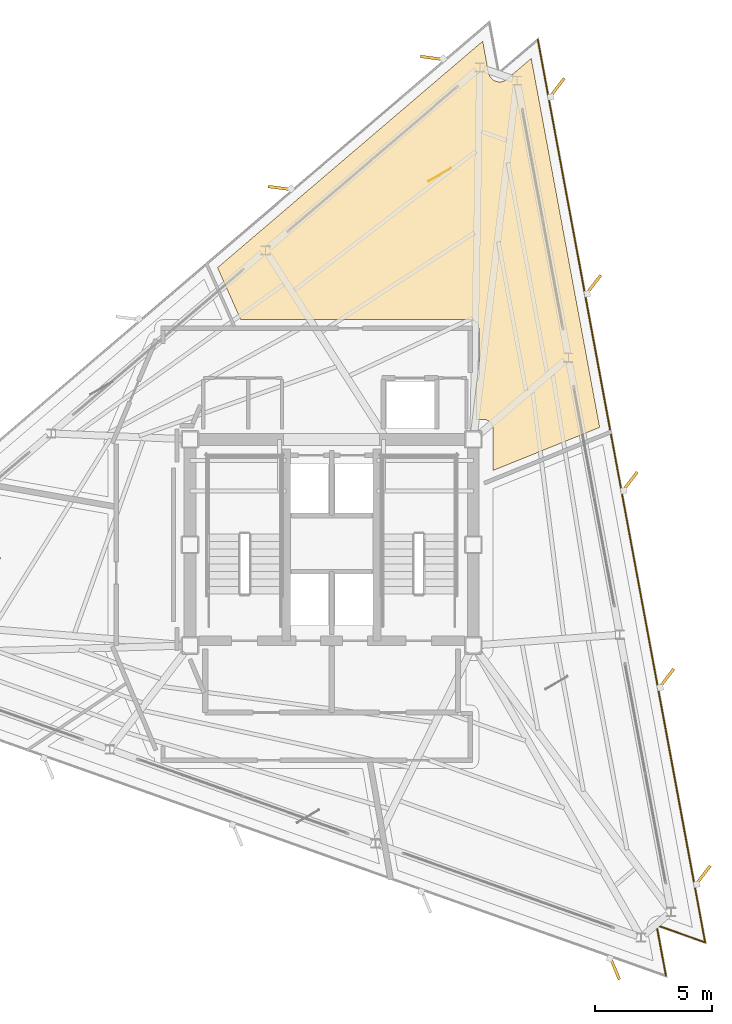
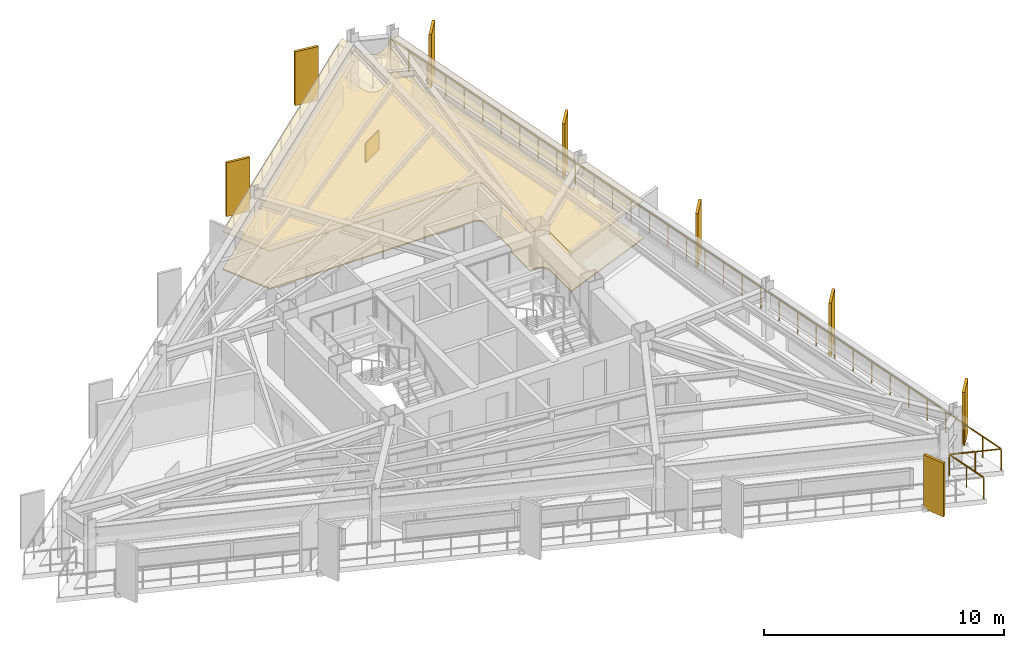
# One storey, part 14 of 14: 8 shading devices, 3 coverings, 1 railing.
"""IFC4 building model written with IfcOpenShell, lengths in metres."""

from ifc_helpers import new_model, si_unit, direction, frame, origin, origin_2d, place, context, subcontext, project, spatial, polyline, rectangle, outline, extrude, material, layer, layer_set, type_object, element, save


model = new_model("IFC4")

# Units and contexts
model_context = context("Model", 3, precision=1e-05, world=origin(), true_north=direction((0.0, 1.0)))
body_context = subcontext(model_context, "Body", "Model", "MODEL_VIEW")
ifc_project = project(units=[si_unit("LENGTHUNIT", "METRE"), si_unit("AREAUNIT", "SQUARE_METRE"), si_unit("VOLUMEUNIT", "CUBIC_METRE"), si_unit("PLANEANGLEUNIT", "RADIAN"), si_unit("MASSUNIT", "GRAM", prefix="KILO")], contexts=[model_context])

# Site, building, storey
site_placement = place(None, origin())
site = spatial("IfcSite", under=ifc_project, at=site_placement, CompositionType="ELEMENT")
building_placement = place(site_placement, origin())
building = spatial("IfcBuilding", under=site, at=building_placement, Name="Rocaltana Carrier Exchange", CompositionType="ELEMENT")
storey_placement = place(building_placement, frame((0.0, 0.0, 190.56005859375)))
storey = spatial("IfcBuildingStorey", under=building, at=storey_placement, Name="L60", CompositionType="ELEMENT", Elevation=190.56005859375)

# Coverings
ifc_material_1 = material(Name="Calcium Sulphate & Aluminium Pedestal", Category="aluminium")
ifc_layer_1 = layer(ifc_material_1, 0.06005859375)
ifc_layer_set_1 = layer_set([ifc_layer_1], Name="Calcium Sulphate & Aluminium Pedestal")
covering_type_1 = type_object("IfcCoveringType", Name="Anti-Static Raised Exchange Access Floor 60", PredefinedType="FLOORING", material=ifc_layer_set_1)
covering_1_placement = place(storey_placement, origin())
element("IfcCovering", 1, at=covering_1_placement, inside=storey, type_object=covering_type_1, Name="L60 Optical Switching Laboratory Finish Floor", PredefinedType="FLOORING", context=body_context, shape_type="SweptSolid", body=[
    extrude(outline(polyline([(6.159912109375, 6.931884765625), (6.16455078125, 6.93603515625), (6.18408203125, 6.955322265625), (6.189208984375, 6.961181640625), (6.206787109375, 6.982421875), (6.21142578125, 6.98876953125), (6.226806640625, 7.01171875), (6.230712890625, 7.018310546875), (6.24365234375, 7.04248046875), (6.2470703125, 7.0498046875), (6.257568359375, 7.0751953125), (6.26025390625, 7.08251953125), (6.268310546875, 7.108642578125), (6.27001953125, 7.116455078125), (6.275390625, 7.143310546875), (6.276611328125, 7.151123046875), (6.279296875, 7.178466796875), (6.27978515625, 7.186279296875), (6.280029296875, 7.199951171875), (6.280029296875, 9.25), (6.27978515625, 9.263671875), (6.279296875, 9.271484375), (6.276611328125, 9.298828125), (6.275390625, 9.306640625), (6.27001953125, 9.33349609375), (6.268310546875, 9.34130859375), (6.26025390625, 9.36767578125), (6.257568359375, 9.375), (6.2470703125, 9.400390625), (6.24365234375, 9.407470703125), (6.230712890625, 9.431640625), (6.226806640625, 9.4384765625), (6.21142578125, 9.461181640625), (6.206787109375, 9.467529296875), (6.189208984375, 9.48876953125), (6.18408203125, 9.49462890625), (6.16455078125, 9.513916015625), (6.15869140625, 9.519287109375), (6.137451171875, 9.53662109375), (6.131103515625, 9.54150390625), (6.1083984375, 9.556640625), (6.101806640625, 9.560791015625), (6.077392578125, 9.57373046875), (6.0703125, 9.576904296875), (6.044921875, 9.58740234375), (6.03759765625, 9.590087890625), (6.01123046875, 9.59814453125), (6.003662109375, 9.60009765625), (5.976806640625, 9.60546875), (5.968994140625, 9.606689453125), (5.941650390625, 9.609375), (5.93359375, 9.609619140625), (5.919921875, 9.610107421875), (-3.884521484375, 9.610107421875), (-4.87451171875, 11.83349609375), (6.447998046875, 21.50390625), (6.697265625, 20.157958984375), (6.7001953125, 20.144287109375), (6.704833984375, 20.125), (6.712646484375, 20.09814453125), (6.718994140625, 20.079345703125), (6.7294921875, 20.053466796875), (6.73779296875, 20.035400390625), (6.7509765625, 20.010498046875), (6.760986328125, 19.993408203125), (6.7763671875, 19.97021484375), (6.7880859375, 19.9541015625), (6.8056640625, 19.932373046875), (6.819091796875, 19.91748046875), (6.838623046875, 19.897705078125), (6.853515625, 19.88427734375), (6.875, 19.866455078125), (6.89111328125, 19.8544921875), (6.914306640625, 19.839111328125), (6.931396484375, 19.828857421875), (6.955810546875, 19.815673828125), (6.973876953125, 19.80712890625), (6.999755859375, 19.796630859375), (7.0185546875, 19.789794921875), (7.04541015625, 19.781982421875), (7.064697265625, 19.777099609375), (7.092041015625, 19.77197265625), (7.11181640625, 19.76904296875), (7.1396484375, 19.7666015625), (7.159423828125, 19.765625), (7.1875, 19.76611328125), (7.207275390625, 19.76708984375), (7.235107421875, 19.770263671875), (7.2548828125, 19.773193359375), (7.281982421875, 19.779052734375), (7.301513671875, 19.7841796875), (7.327880859375, 19.79248046875), (7.3466796875, 19.799560546875), (7.372314453125, 19.810791015625), (7.39013671875, 19.819580078125), (7.41455078125, 19.8330078125), (7.431396484375, 19.843505859375), (7.454345703125, 19.859619140625), (7.47021484375, 19.87158203125), (7.48095703125, 19.880615234375), (8.521728515625, 20.769287109375), (11.4423828125, 5.01123046875), (6.889892578125, 3.172119140625), (6.889892578125, 4.919921875), (6.8896484375, 4.93359375), (6.888916015625, 4.949462890625), (6.88623046875, 4.976806640625), (6.8837890625, 4.9921875), (6.87841796875, 5.019287109375), (6.874755859375, 5.034423828125), (6.86669921875, 5.060791015625), (6.861572265625, 5.07568359375), (6.850830078125, 5.100830078125), (6.84423828125, 5.114990234375), (6.831298828125, 5.139404296875), (6.8232421875, 5.15283203125), (6.807861328125, 5.17578125), (6.798583984375, 5.188232421875), (6.781005859375, 5.20947265625), (6.7705078125, 5.22119140625), (6.751220703125, 5.240478515625), (6.739501953125, 5.251220703125), (6.71826171875, 5.2685546875), (6.705810546875, 5.27783203125), (6.682861328125, 5.293212890625), (6.66943359375, 5.30126953125), (6.64501953125, 5.314208984375), (6.630859375, 5.32080078125), (6.605712890625, 5.33154296875), (6.5908203125, 5.336669921875), (6.564453125, 5.3447265625), (6.54931640625, 5.348388671875), (6.522216796875, 5.35400390625), (6.5068359375, 5.356201171875), (6.4794921875, 5.35888671875), (6.463623046875, 5.359619140625), (6.449951171875, 5.360107421875), (6.159912109375, 5.360107421875), (6.159912109375, 6.931884765625)])), origin(), (0.0, 0.0, 1.0), 0.06005859375),
])
ifc_material_2 = material(Name="Mineral Fibre & Powder-Coated Aluminium", Category="aluminium")
ifc_layer_2 = layer(ifc_material_2, 0.044921875)
ifc_layer_set_2 = layer_set([ifc_layer_2], Name="Mineral Fibre & Powder-Coated Aluminium")
covering_type_2 = type_object("IfcCoveringType", Name="Micro-Perforated Acoustic Ceiling 45", PredefinedType="CEILING", material=ifc_layer_set_2)
covering_2_placement = place(storey_placement, frame((0.0, 0.0, 1.9228515625)))
element("IfcCovering", 2, at=covering_2_placement, inside=storey, type_object=covering_type_2, Name="L60 Optical Switching Laboratory Acoustic Ceiling", PredefinedType="CEILING", context=body_context, shape_type="SweptSolid", body=[
    extrude(outline(polyline([(6.159912109375, 6.931884765625), (6.16455078125, 6.93603515625), (6.18408203125, 6.955322265625), (6.189208984375, 6.961181640625), (6.206787109375, 6.982421875), (6.21142578125, 6.98876953125), (6.226806640625, 7.01171875), (6.230712890625, 7.018310546875), (6.24365234375, 7.04248046875), (6.2470703125, 7.0498046875), (6.257568359375, 7.0751953125), (6.26025390625, 7.08251953125), (6.268310546875, 7.108642578125), (6.27001953125, 7.116455078125), (6.275390625, 7.143310546875), (6.276611328125, 7.151123046875), (6.279296875, 7.178466796875), (6.27978515625, 7.186279296875), (6.280029296875, 7.199951171875), (6.280029296875, 9.25), (6.27978515625, 9.263671875), (6.279296875, 9.271484375), (6.276611328125, 9.298828125), (6.275390625, 9.306640625), (6.27001953125, 9.33349609375), (6.268310546875, 9.34130859375), (6.26025390625, 9.36767578125), (6.257568359375, 9.375), (6.2470703125, 9.400390625), (6.24365234375, 9.407470703125), (6.230712890625, 9.431640625), (6.226806640625, 9.4384765625), (6.21142578125, 9.461181640625), (6.206787109375, 9.467529296875), (6.189208984375, 9.48876953125), (6.18408203125, 9.49462890625), (6.16455078125, 9.513916015625), (6.15869140625, 9.519287109375), (6.137451171875, 9.53662109375), (6.131103515625, 9.54150390625), (6.1083984375, 9.556640625), (6.101806640625, 9.560791015625), (6.077392578125, 9.57373046875), (6.0703125, 9.576904296875), (6.044921875, 9.58740234375), (6.03759765625, 9.590087890625), (6.01123046875, 9.59814453125), (6.003662109375, 9.60009765625), (5.976806640625, 9.60546875), (5.968994140625, 9.606689453125), (5.941650390625, 9.609375), (5.93359375, 9.609619140625), (5.919921875, 9.610107421875), (-3.884521484375, 9.610107421875), (-4.87451171875, 11.83349609375), (6.447998046875, 21.50390625), (6.697265625, 20.157958984375), (6.7001953125, 20.144287109375), (6.704833984375, 20.125), (6.712646484375, 20.09814453125), (6.718994140625, 20.079345703125), (6.7294921875, 20.053466796875), (6.73779296875, 20.035400390625), (6.7509765625, 20.010498046875), (6.760986328125, 19.993408203125), (6.7763671875, 19.97021484375), (6.7880859375, 19.9541015625), (6.8056640625, 19.932373046875), (6.819091796875, 19.91748046875), (6.838623046875, 19.897705078125), (6.853515625, 19.88427734375), (6.875, 19.866455078125), (6.89111328125, 19.8544921875), (6.914306640625, 19.839111328125), (6.931396484375, 19.828857421875), (6.955810546875, 19.815673828125), (6.973876953125, 19.80712890625), (6.999755859375, 19.796630859375), (7.0185546875, 19.789794921875), (7.04541015625, 19.781982421875), (7.064697265625, 19.777099609375), (7.092041015625, 19.77197265625), (7.11181640625, 19.76904296875), (7.1396484375, 19.7666015625), (7.159423828125, 19.765625), (7.1875, 19.76611328125), (7.207275390625, 19.76708984375), (7.235107421875, 19.770263671875), (7.2548828125, 19.773193359375), (7.281982421875, 19.779052734375), (7.301513671875, 19.7841796875), (7.327880859375, 19.79248046875), (7.3466796875, 19.799560546875), (7.372314453125, 19.810791015625), (7.39013671875, 19.819580078125), (7.41455078125, 19.8330078125), (7.431396484375, 19.843505859375), (7.454345703125, 19.859619140625), (7.47021484375, 19.87158203125), (7.48095703125, 19.880615234375), (8.521728515625, 20.769287109375), (11.4423828125, 5.01123046875), (6.889892578125, 3.172119140625), (6.889892578125, 4.919921875), (6.8896484375, 4.93359375), (6.888916015625, 4.949462890625), (6.88623046875, 4.976806640625), (6.8837890625, 4.9921875), (6.87841796875, 5.019287109375), (6.874755859375, 5.034423828125), (6.86669921875, 5.060791015625), (6.861572265625, 5.07568359375), (6.850830078125, 5.100830078125), (6.84423828125, 5.114990234375), (6.831298828125, 5.139404296875), (6.8232421875, 5.15283203125), (6.807861328125, 5.17578125), (6.798583984375, 5.188232421875), (6.781005859375, 5.20947265625), (6.7705078125, 5.22119140625), (6.751220703125, 5.240478515625), (6.739501953125, 5.251220703125), (6.71826171875, 5.2685546875), (6.705810546875, 5.27783203125), (6.682861328125, 5.293212890625), (6.66943359375, 5.30126953125), (6.64501953125, 5.314208984375), (6.630859375, 5.32080078125), (6.605712890625, 5.33154296875), (6.5908203125, 5.336669921875), (6.564453125, 5.3447265625), (6.54931640625, 5.348388671875), (6.522216796875, 5.35400390625), (6.5068359375, 5.356201171875), (6.4794921875, 5.35888671875), (6.463623046875, 5.359619140625), (6.449951171875, 5.360107421875), (6.159912109375, 5.360107421875), (6.159912109375, 6.931884765625)])), origin(), (0.0, 0.0, 1.0), 0.045166015625),
])
ifc_material_3 = material(Name="Honed Piedra Muneca Sandstone", Category="masonry")
ifc_layer_3 = layer(ifc_material_3, 0.034912109375)
ifc_layer_set_3 = layer_set([ifc_layer_3], Name="Honed Piedra Muneca Sandstone")
covering_type_3 = type_object("IfcCoveringType", Name="Stone Facade Cladding 35", PredefinedType="CLADDING", material=ifc_layer_set_3)
covering_3_placement = place(storey_placement, frame((4.60595703125, 15.799560546875, 0.0), z_axis=(0.0, 0.0, 1.0), x_axis=(0.866025403784, 0.5, 0.0)))
element("IfcCovering", 3, at=covering_3_placement, inside=storey, type_object=covering_type_3, Name="L60 Stone Facade Cladding Panel 4", PredefinedType="CLADDING", context=body_context, shape_type="SweptSolid", body=[
    extrude(rectangle(XDim=1.10009765625, YDim=0.034912109375, at=origin_2d()), origin(), (0.0, 0.0, 1.0), 1.050048828125),
])

# Shading devices
ifc_material_4 = material(Name="Honed Bogota Sandstone & Concrete C45/55", Category="masonry")
ifc_layer_4 = layer(ifc_material_4, 0.1201171875)
ifc_layer_set_4 = layer_set([ifc_layer_4], Name="Honed Bogota Sandstone & Concrete C45/55")
shading_device_type = type_object("IfcShadingDeviceType", Name="Upper Sandstone Shading Fin 1050x120", PredefinedType="USERDEFINED", material=ifc_layer_set_4)
for number, where, z_axis, x_axis, name in (
    (4, (15.84375, -14.124755859375, -0.1201171875), (0.0, 0.0, 1.0), (0.608761429009, 0.793353340291, 0.0), "L60 Sandstone Vertical Fin F1-01"),
    (5, (14.28564453125, -5.718017578125, -0.1201171875), (0.0, 0.0, 1.0), (0.608761429009, 0.793353340291, 0.0), "L60 Sandstone Vertical Fin F1-02"),
    (6, (12.7275390625, 2.68896484375, -0.1201171875), (0.0, 0.0, 1.0), (0.608761429009, 0.793353340291, 0.0), "L60 Sandstone Vertical Fin F1-03"),
    (7, (11.16943359375, 11.095703125, -0.1201171875), (0.0, 0.0, 1.0), (0.608761429009, 0.793353340291, 0.0), "L60 Sandstone Vertical Fin F1-04"),
    (8, (9.611328125, 19.502685546875, -0.1201171875), (0.0, 0.0, 1.0), (0.608761429009, 0.793353340291, 0.0), "L60 Sandstone Vertical Fin F1-05"),
    (9, (4.310546875, 20.783447265625, -0.1201171875), (0.0, 0.0, 1.0), (-0.991444861374, 0.13052619222, 0.0), "L60 Sandstone Vertical Fin F2-01"),
    (10, (-2.19091796875, 15.230712890625, -0.1201171875), (0.0, 0.0, 1.0), (-0.991444861374, 0.13052619222, 0.0), "L60 Sandstone Vertical Fin F2-02"),
    (11, (12.083984375, -18.074951171875, -0.1201171875), (0.0, 0.0, 1.0), (0.382683432365, -0.923879532511, 0.0), "L60 Sandstone Vertical Fin F3-05"),
):
    element("IfcShadingDevice", number, at=place(storey_placement, frame(where, z_axis=z_axis, x_axis=x_axis)), inside=storey, type_object=shading_device_type, Name=name, ObjectType="FIN", PredefinedType="USERDEFINED", context=body_context, shape_type="SweptSolid", body=[
        extrude(rectangle(XDim=1.050048828125, YDim=0.1201171875, at=origin_2d()), origin(), (0.0, 0.0, 1.0), 2.738037109375),
    ])

# Railing
ifc_material_5 = material(Name="Powder-Coated Aluminium 6063-T6", Category="aluminium")
ifc_layer_5 = layer(ifc_material_5, 0.06005859375)
ifc_layer_set_5 = layer_set([ifc_layer_5], Name="Powder-Coated Aluminium 6063-T6")
railing_type = type_object("IfcRailingType", Name="Wind-Floor & Terrace Perimeter Guardrail 1100", PredefinedType="GUARDRAIL", material=ifc_layer_set_5)
railing_placement = place(storey_placement, frame((8.802001953125, 21.561279296875, 0.0)))
element("IfcRailing", 12, at=railing_placement, inside=storey, type_object=railing_type, Name="L60 Perimeter Balcony Guardrail 3", PredefinedType="GUARDRAIL", context=body_context, shape_type="SweptSolid", body=[
    extrude(rectangle(XDim=0.048095703125, YDim=0.048095703125, at=origin_2d()), frame((0.0, 0.0, 1.076171875), z_axis=(0.182238712152, -0.983254316946, 0.0), x_axis=(0.983254316946, 0.182238712152, 0.0)), (0.0, 0.0, 1.0), 39.192138671875),
    extrude(rectangle(XDim=0.048095703125, YDim=0.048095703125, at=origin_2d()), frame((7.142333984375, -38.535888671875, 1.076171875), z_axis=(-0.942672327986, 0.333719765747, 0.0), x_axis=(-0.333719765747, -0.942672327986, 0.0)), (0.0, 0.0, 1.0), 2.199951171875),
    extrude(rectangle(XDim=0.048095703125, YDim=0.048095703125, at=origin_2d()), frame((5.068603515625, -37.8017578125, 1.076171875), z_axis=(0.1822243738, -0.983256974342, 0.0), x_axis=(0.983256974342, 0.1822243738, 0.0)), (0.0, 0.0, 1.0), 2.199951171875),
    extrude(rectangle(XDim=0.0419921875, YDim=0.0419921875, at=origin_2d()), origin(), (0.0, 0.0, 1.0), 1.052001953125),
    extrude(rectangle(XDim=0.0419921875, YDim=0.0419921875, at=origin_2d()), frame((0.216552734375, -1.167724609375, 0.0)), (0.0, 0.0, 1.0), 1.052001953125),
    extrude(rectangle(XDim=0.0419921875, YDim=0.0419921875, at=origin_2d()), frame((0.432861328125, -2.33544921875, 0.0)), (0.0, 0.0, 1.0), 1.052001953125),
    extrude(rectangle(XDim=0.0419921875, YDim=0.0419921875, at=origin_2d()), frame((0.6494140625, -3.503173828125, 0.0)), (0.0, 0.0, 1.0), 1.052001953125),
    extrude(rectangle(XDim=0.0419921875, YDim=0.0419921875, at=origin_2d()), frame((0.86572265625, -4.6708984375, 0.0)), (0.0, 0.0, 1.0), 1.052001953125),
    extrude(rectangle(XDim=0.0419921875, YDim=0.0419921875, at=origin_2d()), frame((1.082275390625, -5.8388671875, 0.0)), (0.0, 0.0, 1.0), 1.052001953125),
    extrude(rectangle(XDim=0.0419921875, YDim=0.0419921875, at=origin_2d()), frame((1.298583984375, -7.006591796875, 0.0)), (0.0, 0.0, 1.0), 1.052001953125),
    extrude(rectangle(XDim=0.0419921875, YDim=0.0419921875, at=origin_2d()), frame((1.51513671875, -8.17431640625, 0.0)), (0.0, 0.0, 1.0), 1.052001953125),
    extrude(rectangle(XDim=0.0419921875, YDim=0.0419921875, at=origin_2d()), frame((1.7314453125, -9.342041015625, 0.0)), (0.0, 0.0, 1.0), 1.052001953125),
    extrude(rectangle(XDim=0.0419921875, YDim=0.0419921875, at=origin_2d()), frame((1.947998046875, -10.509765625, 0.0)), (0.0, 0.0, 1.0), 1.052001953125),
    extrude(rectangle(XDim=0.0419921875, YDim=0.0419921875, at=origin_2d()), frame((2.164306640625, -11.677490234375, 0.0)), (0.0, 0.0, 1.0), 1.052001953125),
    extrude(rectangle(XDim=0.0419921875, YDim=0.0419921875, at=origin_2d()), frame((2.380859375, -12.84521484375, 0.0)), (0.0, 0.0, 1.0), 1.052001953125),
    extrude(rectangle(XDim=0.0419921875, YDim=0.0419921875, at=origin_2d()), frame((2.59716796875, -14.012939453125, 0.0)), (0.0, 0.0, 1.0), 1.052001953125),
    extrude(rectangle(XDim=0.0419921875, YDim=0.0419921875, at=origin_2d()), frame((2.813720703125, -15.180908203125, 0.0)), (0.0, 0.0, 1.0), 1.052001953125),
    extrude(rectangle(XDim=0.0419921875, YDim=0.0419921875, at=origin_2d()), frame((3.030029296875, -16.3486328125, 0.0)), (0.0, 0.0, 1.0), 1.052001953125),
    extrude(rectangle(XDim=0.0419921875, YDim=0.0419921875, at=origin_2d()), frame((3.24658203125, -17.516357421875, 0.0)), (0.0, 0.0, 1.0), 1.052001953125),
    extrude(rectangle(XDim=0.0419921875, YDim=0.0419921875, at=origin_2d()), frame((3.462890625, -18.68408203125, 0.0)), (0.0, 0.0, 1.0), 1.052001953125),
    extrude(rectangle(XDim=0.0419921875, YDim=0.0419921875, at=origin_2d()), frame((3.679443359375, -19.851806640625, 0.0)), (0.0, 0.0, 1.0), 1.052001953125),
    extrude(rectangle(XDim=0.0419921875, YDim=0.0419921875, at=origin_2d()), frame((3.895751953125, -21.01953125, 0.0)), (0.0, 0.0, 1.0), 1.052001953125),
    extrude(rectangle(XDim=0.0419921875, YDim=0.0419921875, at=origin_2d()), frame((4.1123046875, -22.187255859375, 0.0)), (0.0, 0.0, 1.0), 1.052001953125),
    extrude(rectangle(XDim=0.0419921875, YDim=0.0419921875, at=origin_2d()), frame((4.32861328125, -23.35498046875, 0.0)), (0.0, 0.0, 1.0), 1.052001953125),
    extrude(rectangle(XDim=0.0419921875, YDim=0.0419921875, at=origin_2d()), frame((4.545166015625, -24.52294921875, 0.0)), (0.0, 0.0, 1.0), 1.052001953125),
    extrude(rectangle(XDim=0.0419921875, YDim=0.0419921875, at=origin_2d()), frame((4.761474609375, -25.690673828125, 0.0)), (0.0, 0.0, 1.0), 1.052001953125),
    extrude(rectangle(XDim=0.0419921875, YDim=0.0419921875, at=origin_2d()), frame((4.97802734375, -26.8583984375, 0.0)), (0.0, 0.0, 1.0), 1.052001953125),
    extrude(rectangle(XDim=0.0419921875, YDim=0.0419921875, at=origin_2d()), frame((5.1943359375, -28.026123046875, 0.0)), (0.0, 0.0, 1.0), 1.052001953125),
    extrude(rectangle(XDim=0.0419921875, YDim=0.0419921875, at=origin_2d()), frame((5.410888671875, -29.19384765625, 0.0)), (0.0, 0.0, 1.0), 1.052001953125),
    extrude(rectangle(XDim=0.0419921875, YDim=0.0419921875, at=origin_2d()), frame((5.627197265625, -30.361572265625, 0.0)), (0.0, 0.0, 1.0), 1.052001953125),
    extrude(rectangle(XDim=0.0419921875, YDim=0.0419921875, at=origin_2d()), frame((5.84375, -31.529296875, 0.0)), (0.0, 0.0, 1.0), 1.052001953125),
    extrude(rectangle(XDim=0.0419921875, YDim=0.0419921875, at=origin_2d()), frame((6.06005859375, -32.697021484375, 0.0)), (0.0, 0.0, 1.0), 1.052001953125),
    extrude(rectangle(XDim=0.0419921875, YDim=0.0419921875, at=origin_2d()), frame((6.276611328125, -33.864990234375, 0.0)), (0.0, 0.0, 1.0), 1.052001953125),
    extrude(rectangle(XDim=0.0419921875, YDim=0.0419921875, at=origin_2d()), frame((6.492919921875, -35.03271484375, 0.0)), (0.0, 0.0, 1.0), 1.052001953125),
    extrude(rectangle(XDim=0.0419921875, YDim=0.0419921875, at=origin_2d()), frame((6.70947265625, -36.200439453125, 0.0)), (0.0, 0.0, 1.0), 1.052001953125),
    extrude(rectangle(XDim=0.0419921875, YDim=0.0419921875, at=origin_2d()), frame((6.92578125, -37.3681640625, 0.0)), (0.0, 0.0, 1.0), 1.052001953125),
    extrude(rectangle(XDim=0.0419921875, YDim=0.0419921875, at=origin_2d()), frame((7.142333984375, -38.535888671875, 0.0)), (0.0, 0.0, 1.0), 1.052001953125),
    extrude(rectangle(XDim=0.0419921875, YDim=0.0419921875, at=origin_2d()), frame((6.10546875, -38.1689453125, 0.0)), (0.0, 0.0, 1.0), 1.052001953125),
    extrude(rectangle(XDim=0.0419921875, YDim=0.0419921875, at=origin_2d()), frame((5.068603515625, -37.8017578125, 0.0)), (0.0, 0.0, 1.0), 1.052001953125),
    extrude(rectangle(XDim=0.0419921875, YDim=0.0419921875, at=origin_2d()), frame((5.26904296875, -38.88330078125, 0.0)), (0.0, 0.0, 1.0), 1.052001953125),
    extrude(rectangle(XDim=0.0419921875, YDim=0.0419921875, at=origin_2d()), frame((5.469482421875, -39.96484375, 0.0)), (0.0, 0.0, 1.0), 1.052001953125),
])

save(model, "model.ifc")
